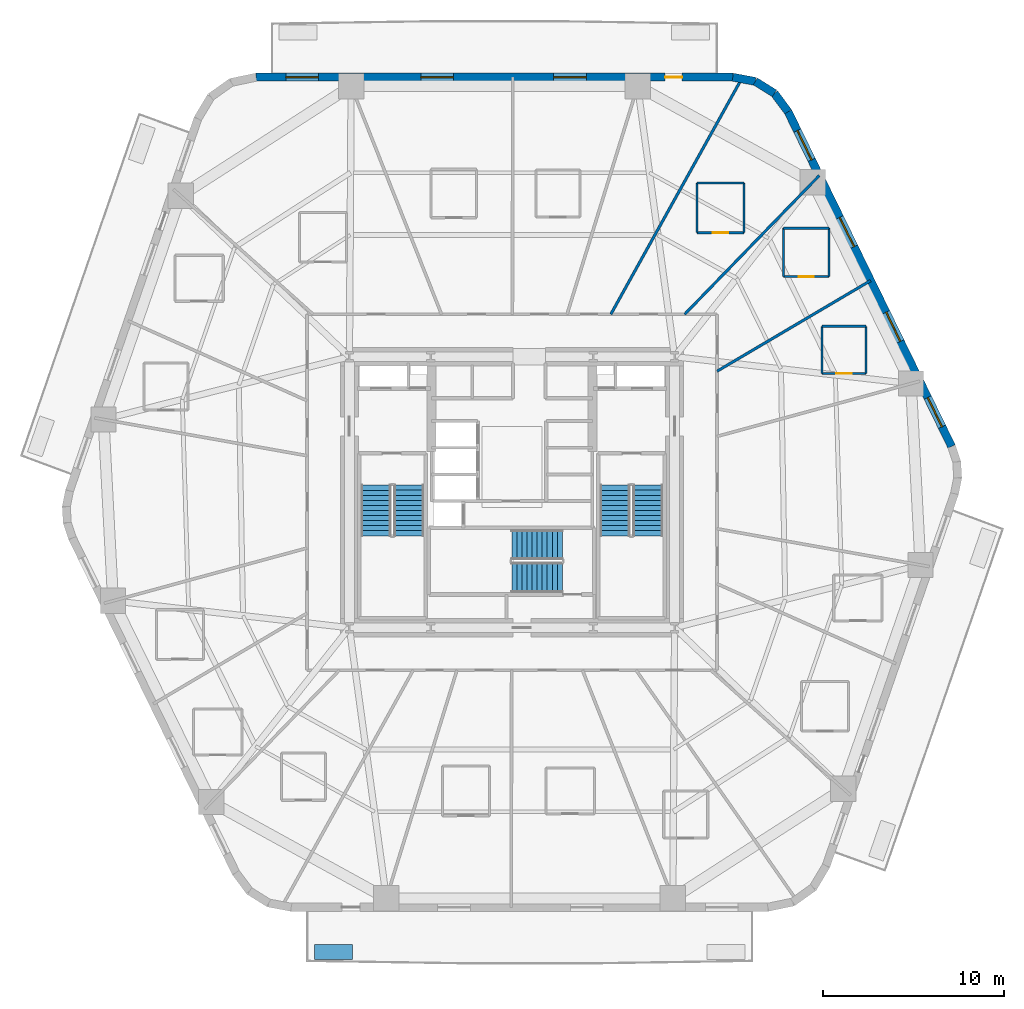
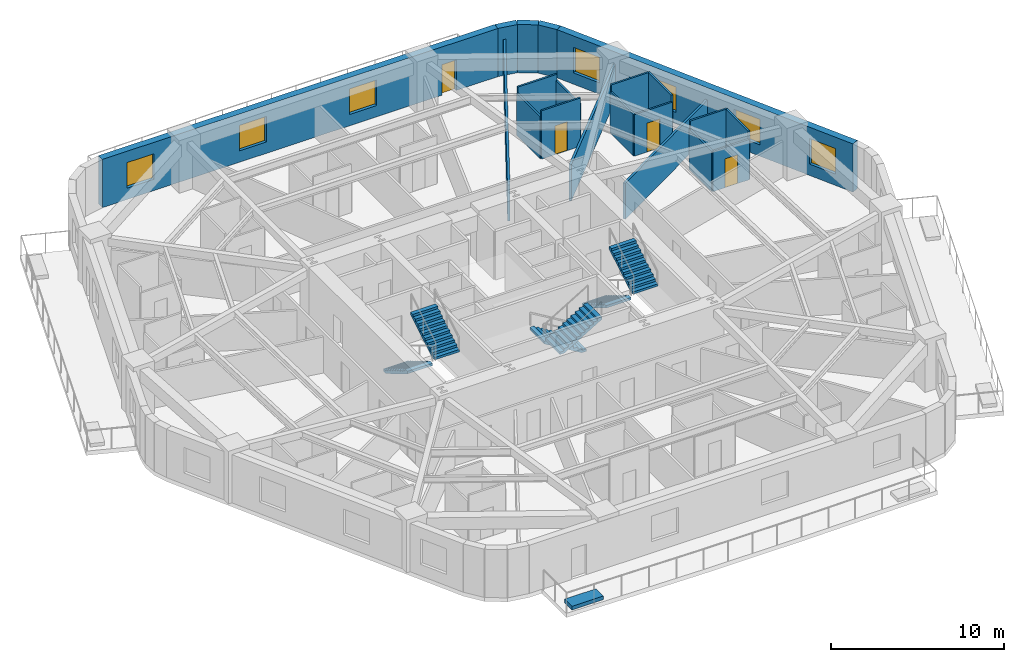
# One storey, part 7 of 11: 20 walls, 7 windows, 6 stair flights, 4 doors, 1 discrete accessory, 11 openings, 3 elements without a shape of their own.
"""IFC4 building model written with IfcOpenShell, lengths in metres."""

from ifc_helpers import new_model, si_unit, direction, frame, frame_2d, origin, origin_2d, place, context, subcontext, project, spatial, polyline, rectangle, outline, extrude, material, layer, layer_set, type_object, element, fill, aggregate, save


model = new_model("IFC4")

# Units and contexts
model_context = context("Model", 3, precision=1e-05, world=origin(), true_north=direction((0.0, 1.0)))
body_context = subcontext(model_context, "Body", "Model", "MODEL_VIEW")
ifc_project = project(units=[si_unit("LENGTHUNIT", "METRE"), si_unit("AREAUNIT", "SQUARE_METRE"), si_unit("VOLUMEUNIT", "CUBIC_METRE"), si_unit("PLANEANGLEUNIT", "RADIAN"), si_unit("MASSUNIT", "GRAM", prefix="KILO")], contexts=[model_context])

# Site, building, storey
site_placement = place(None, origin())
site = spatial("IfcSite", under=ifc_project, at=site_placement, CompositionType="ELEMENT")
building_placement = place(site_placement, origin())
building = spatial("IfcBuilding", under=site, at=building_placement, Name="Kilnhurst Terrace Hotel", CompositionType="ELEMENT")
storey_placement = place(building_placement, frame((0.0, 0.0, 37.89990234375)))
storey = spatial("IfcBuildingStorey", under=building, at=storey_placement, Name="L07", CompositionType="ELEMENT", Elevation=37.89990234375)

# Walls
ifc_material_1 = material(Name="Precast concrete C40/50", Category="concrete")
ifc_layer_1 = layer(ifc_material_1, 0.449951171875, Name="Precast concrete C40/50")
ifc_layer_set_1 = layer_set([ifc_layer_1], Name="Precast concrete C40/50")
wall_type_1 = type_object("IfcWallType", Name="WL-BRK-450", PredefinedType="SOLIDWALL", material=ifc_layer_set_1)
wall_1_placement = place(storey_placement, frame((15.28369140625, 21.0625, 0.0), z_axis=(0.0, 0.0, 1.0), x_axis=(-0.597595366449, 0.801797841104, 0.0)))
element("IfcWall", 1, at=wall_1_placement, inside=storey, type_object=wall_type_1, Name="L07 Rounded Corner Brick Wall C4.1", PredefinedType="SOLIDWALL", context=body_context, shape_type="SweptSolid", body=[
    extrude(rectangle(XDim=1.2685546875, YDim=0.449951171875, at=frame_2d((0.63427734375, 0.0))), origin(), (0.0, 0.0, 1.0), 3.400146484375),
])
wall_2_placement = place(storey_placement, frame((14.525634765625, 22.07958984375, 0.0), z_axis=(0.0, 0.0, 1.0), x_axis=(-0.848185203596, 0.529699783275, 0.0)))
element("IfcWall", 2, at=wall_2_placement, inside=storey, type_object=wall_type_1, Name="L07 Rounded Corner Brick Wall C4.2", PredefinedType="SOLIDWALL", context=body_context, shape_type="SweptSolid", body=[
    extrude(rectangle(XDim=1.247314453125, YDim=0.449951171875, at=frame_2d((0.62353515625, 0.0))), origin(), (0.0, 0.0, 1.0), 3.400146484375),
])
wall_3_placement = place(storey_placement, frame((13.4677734375, 22.740234375, 0.0), z_axis=(0.0, 0.0, 1.0), x_axis=(-0.982717174228, 0.185113358451, 0.0)))
element("IfcWall", 3, at=wall_3_placement, inside=storey, type_object=wall_type_1, Name="L07 Rounded Corner Brick Wall C4.3", PredefinedType="SOLIDWALL", context=body_context, shape_type="SweptSolid", body=[
    extrude(rectangle(XDim=1.268798828125, YDim=0.449951171875, at=frame_2d((0.63427734375, 0.0))), origin(), (0.0, 0.0, 1.0), 3.400146484375),
])

# Wall, openings, windows
wall_4_placement = place(storey_placement, frame((24.335693359375, 2.532470703125, 0.0), z_axis=(0.0, 0.0, 1.0), x_axis=(-0.438931326393, 0.898520612291, 0.0)))
wall_4 = element("IfcWall", 4, at=wall_4_placement, inside=storey, type_object=wall_type_1, Name="L07 Exterior Brick Facade Wall F3", PredefinedType="SOLIDWALL", context=body_context, shape_type="SweptSolid", body=[
    extrude(rectangle(XDim=20.622802734375, YDim=0.449951171875, at=frame_2d((10.3115234375, 0.0))), origin(), (0.0, 0.0, 1.0), 3.400146484375),
])
opening_1_placement = place(wall_4_placement, frame((6.469970703125, 0.0, 0.800048828125)))
opening_1 = element("IfcOpeningElement", 5, at=opening_1_placement, cuts=wall_4, Name="Opening W-01", PredefinedType="OPENING", context=body_context, shape_type="SweptSolid", body=[
    extrude(rectangle(XDim=1.800048828125, YDim=1.800048828125, at=frame_2d((0.89990234375, 0.89990234375))), frame((0.0, 0.23486328125, 0.0), z_axis=(0.0, -1.0, 0.0), x_axis=(1.0, 0.0, 0.0)), (0.0, 0.0, 1.0), 0.469970703125),
])
opening_2_placement = place(wall_4_placement, frame((12.31103515625, 0.0, 0.800048828125)))
opening_2 = element("IfcOpeningElement", 6, at=opening_2_placement, cuts=wall_4, Name="Opening W-01", PredefinedType="OPENING", context=body_context, shape_type="SweptSolid", body=[
    extrude(rectangle(XDim=1.800048828125, YDim=1.800048828125, at=frame_2d((0.89990234375, 0.89990234375))), frame((0.0, 0.23486328125, 0.0), z_axis=(0.0, -1.0, 0.0), x_axis=(1.0, 0.0, 0.0)), (0.0, 0.0, 1.0), 0.469970703125),
])
opening_3_placement = place(wall_4_placement, frame((17.659912109375, 0.0, 0.800048828125)))
opening_3 = element("IfcOpeningElement", 7, at=opening_3_placement, cuts=wall_4, Name="Opening W-01", PredefinedType="OPENING", context=body_context, shape_type="SweptSolid", body=[
    extrude(rectangle(XDim=1.800048828125, YDim=1.800048828125, at=frame_2d((0.89990234375, 0.89990234375))), frame((0.0, 0.23486328125, 0.0), z_axis=(0.0, -1.0, 0.0), x_axis=(1.0, 0.0, 0.0)), (0.0, 0.0, 1.0), 0.469970703125),
])
opening_4_placement = place(wall_4_placement, frame((1.214111328125, 0.0, 0.800048828125)))
opening_4 = element("IfcOpeningElement", 8, at=opening_4_placement, cuts=wall_4, Name="Opening W-01", PredefinedType="OPENING", context=body_context, shape_type="SweptSolid", body=[
    extrude(rectangle(XDim=1.800048828125, YDim=1.800048828125, at=frame_2d((0.89990234375, 0.89990234375))), frame((0.0, 0.23486328125, 0.0), z_axis=(0.0, -1.0, 0.0), x_axis=(1.0, 0.0, 0.0)), (0.0, 0.0, 1.0), 0.469970703125),
])
ifc_material_2 = material(Name="Thermally Broken Bronze Aluminium Alloy 6063-T6 and Low-E Glass", Category="aluminium")
window_type = type_object("IfcWindowType", Name="WIN-1800X1800", PartitioningType="SINGLE_PANEL", PredefinedType="WINDOW", material=ifc_material_2)
window_1_placement = place(opening_1_placement, origin())
window_1 = element("IfcWindow", 9, at=window_1_placement, inside=storey, type_object=window_type, Name="L07 Deep-Set Masonry Window F3.1", OverallHeight=1.800048828125, OverallWidth=1.800048828125, PartitioningType="SINGLE_PANEL", PredefinedType="WINDOW", context=body_context, shape_type="SweptSolid", body=[
    extrude(rectangle(XDim=1.800048828125, YDim=1.800048828125, at=frame_2d((0.89990234375, 0.89990234375))), frame((0.0, 0.030029296875, 0.0), z_axis=(0.0, -1.0, 0.0), x_axis=(1.0, 0.0, 0.0)), (0.0, 0.0, 1.0), 0.06005859375),
])
fill(opening_1, window_1)
window_2_placement = place(opening_2_placement, origin())
window_2 = element("IfcWindow", 10, at=window_2_placement, inside=storey, type_object=window_type, Name="L07 Deep-Set Masonry Window F3.2", OverallHeight=1.800048828125, OverallWidth=1.800048828125, PartitioningType="SINGLE_PANEL", PredefinedType="WINDOW", context=body_context, shape_type="SweptSolid", body=[
    extrude(rectangle(XDim=1.800048828125, YDim=1.800048828125, at=frame_2d((0.89990234375, 0.89990234375))), frame((0.0, 0.030029296875, 0.0), z_axis=(0.0, -1.0, 0.0), x_axis=(1.0, 0.0, 0.0)), (0.0, 0.0, 1.0), 0.06005859375),
])
fill(opening_2, window_2)
window_3_placement = place(opening_3_placement, origin())
window_3 = element("IfcWindow", 11, at=window_3_placement, inside=storey, type_object=window_type, Name="L07 Deep-Set Masonry Window F3.3", OverallHeight=1.800048828125, OverallWidth=1.800048828125, PartitioningType="SINGLE_PANEL", PredefinedType="WINDOW", context=body_context, shape_type="SweptSolid", body=[
    extrude(rectangle(XDim=1.800048828125, YDim=1.800048828125, at=frame_2d((0.89990234375, 0.89990234375))), frame((0.0, 0.030029296875, 0.0), z_axis=(0.0, -1.0, 0.0), x_axis=(1.0, 0.0, 0.0)), (0.0, 0.0, 1.0), 0.06005859375),
])
fill(opening_3, window_3)
window_4_placement = place(opening_4_placement, origin())
window_4 = element("IfcWindow", 12, at=window_4_placement, inside=storey, type_object=window_type, Name="L07 Deep-Set Masonry Window F3.4", OverallHeight=1.800048828125, OverallWidth=1.800048828125, PartitioningType="SINGLE_PANEL", PredefinedType="WINDOW", context=body_context, shape_type="SweptSolid", body=[
    extrude(rectangle(XDim=1.800048828125, YDim=1.800048828125, at=frame_2d((0.89990234375, 0.89990234375))), frame((0.0, 0.030029296875, 0.0), z_axis=(0.0, -1.0, 0.0), x_axis=(1.0, 0.0, 0.0)), (0.0, 0.0, 1.0), 0.06005859375),
])
fill(opening_4, window_4)

# Wall, openings, door, windows
wall_5_placement = place(storey_placement, frame((12.220947265625, 22.97509765625, 0.0), z_axis=(0.0, 0.0, 1.0), x_axis=(-1.0, 0.0, 0.0)))
wall_5 = element("IfcWall", 13, at=wall_5_placement, inside=storey, type_object=wall_type_1, Name="L07 Exterior Brick Facade Wall F4", PredefinedType="SOLIDWALL", context=body_context, shape_type="SweptSolid", body=[
    extrude(rectangle(XDim=26.38916015625, YDim=0.449951171875, at=frame_2d((13.194580078125, 0.0))), origin(), (0.0, 0.0, 1.0), 3.400146484375),
])
opening_5_placement = place(wall_5_placement, frame((2.799072265625, 0.0, 0.0)))
opening_5 = element("IfcOpeningElement", 14, at=opening_5_placement, cuts=wall_5, Name="Opening BD-950", PredefinedType="OPENING", context=body_context, shape_type="SweptSolid", body=[
    extrude(rectangle(XDim=0.949951171875, YDim=2.14990234375, at=frame_2d((0.47509765625, 1.074951171875))), frame((0.0, 0.23486328125, 0.0), z_axis=(0.0, -1.0, 0.0), x_axis=(1.0, 0.0, 0.0)), (0.0, 0.0, 1.0), 0.469970703125),
])
opening_6_placement = place(wall_5_placement, frame((8.110107421875, 0.0, 0.800048828125)))
opening_6 = element("IfcOpeningElement", 15, at=opening_6_placement, cuts=wall_5, Name="Opening W-01", PredefinedType="OPENING", context=body_context, shape_type="SweptSolid", body=[
    extrude(rectangle(XDim=1.800048828125, YDim=1.800048828125, at=frame_2d((0.89990234375, 0.89990234375))), frame((0.0, 0.23486328125, 0.0), z_axis=(0.0, -1.0, 0.0), x_axis=(1.0, 0.0, 0.0)), (0.0, 0.0, 1.0), 0.469970703125),
])
opening_7_placement = place(wall_5_placement, frame((15.4599609375, 0.0, 0.800048828125)))
opening_7 = element("IfcOpeningElement", 16, at=opening_7_placement, cuts=wall_5, Name="Opening W-01", PredefinedType="OPENING", context=body_context, shape_type="SweptSolid", body=[
    extrude(rectangle(XDim=1.800048828125, YDim=1.800048828125, at=frame_2d((0.89990234375, 0.89990234375))), frame((0.0, 0.23486328125, 0.0), z_axis=(0.0, -1.0, 0.0), x_axis=(1.0, 0.0, 0.0)), (0.0, 0.0, 1.0), 0.469970703125),
])
opening_8_placement = place(wall_5_placement, frame((22.93798828125, 0.0, 0.800048828125)))
opening_8 = element("IfcOpeningElement", 17, at=opening_8_placement, cuts=wall_5, Name="Opening W-01", PredefinedType="OPENING", context=body_context, shape_type="SweptSolid", body=[
    extrude(rectangle(XDim=1.800048828125, YDim=1.800048828125, at=frame_2d((0.89990234375, 0.89990234375))), frame((0.0, 0.23486328125, 0.0), z_axis=(0.0, -1.0, 0.0), x_axis=(1.0, 0.0, 0.0)), (0.0, 0.0, 1.0), 0.469970703125),
])
ifc_material_3 = material(Name="Thermally Broken Bronze Aluminium Alloy 6063-T6 and Laminated Glass", Category="aluminium")
door_type_1 = type_object("IfcDoorType", Name="DR-EXT-BAL-950", OperationType="NOTDEFINED", PredefinedType="DOOR", material=ifc_material_3)
door_1_placement = place(opening_5_placement, origin())
door_1 = element("IfcDoor", 18, at=door_1_placement, inside=storey, type_object=door_type_1, Name="L07 Planted Balcony Door BAL-L2A", OperationType="SINGLE_SWING_RIGHT", OverallHeight=2.14990234375, OverallWidth=0.949951171875, PredefinedType="DOOR", context=body_context, shape_type="SweptSolid", body=[
    extrude(rectangle(XDim=0.949951171875, YDim=2.14990234375, at=frame_2d((0.47509765625, 1.074951171875))), frame((0.0, 0.02490234375, 0.0), z_axis=(0.0, -1.0, 0.0), x_axis=(1.0, 0.0, 0.0)), (0.0, 0.0, 1.0), 0.050048828125),
])
fill(opening_5, door_1)
window_5_placement = place(opening_6_placement, origin())
window_5 = element("IfcWindow", 19, at=window_5_placement, inside=storey, type_object=window_type, Name="L07 Deep-Set Masonry Window F4.1", OverallHeight=1.800048828125, OverallWidth=1.800048828125, PartitioningType="SINGLE_PANEL", PredefinedType="WINDOW", context=body_context, shape_type="SweptSolid", body=[
    extrude(rectangle(XDim=1.800048828125, YDim=1.800048828125, at=frame_2d((0.89990234375, 0.89990234375))), frame((0.0, 0.030029296875, 0.0), z_axis=(0.0, -1.0, 0.0), x_axis=(1.0, 0.0, 0.0)), (0.0, 0.0, 1.0), 0.06005859375),
])
fill(opening_6, window_5)
window_6_placement = place(opening_7_placement, origin())
window_6 = element("IfcWindow", 20, at=window_6_placement, inside=storey, type_object=window_type, Name="L07 Deep-Set Masonry Window F4.2", OverallHeight=1.800048828125, OverallWidth=1.800048828125, PartitioningType="SINGLE_PANEL", PredefinedType="WINDOW", context=body_context, shape_type="SweptSolid", body=[
    extrude(rectangle(XDim=1.800048828125, YDim=1.800048828125, at=frame_2d((0.89990234375, 0.89990234375))), frame((0.0, 0.030029296875, 0.0), z_axis=(0.0, -1.0, 0.0), x_axis=(1.0, 0.0, 0.0)), (0.0, 0.0, 1.0), 0.06005859375),
])
fill(opening_7, window_6)
window_7_placement = place(opening_8_placement, origin())
window_7 = element("IfcWindow", 21, at=window_7_placement, inside=storey, type_object=window_type, Name="L07 Deep-Set Masonry Window F4.3", OverallHeight=1.800048828125, OverallWidth=1.800048828125, PartitioningType="SINGLE_PANEL", PredefinedType="WINDOW", context=body_context, shape_type="SweptSolid", body=[
    extrude(rectangle(XDim=1.800048828125, YDim=1.800048828125, at=frame_2d((0.89990234375, 0.89990234375))), frame((0.0, 0.030029296875, 0.0), z_axis=(0.0, -1.0, 0.0), x_axis=(1.0, 0.0, 0.0)), (0.0, 0.0, 1.0), 0.06005859375),
])
fill(opening_8, window_7)

# Walls
ifc_material_4 = material(Name="STC-58 Acoustic Twin-Frame Guestroom Demising Partition")
ifc_layer_2 = layer(ifc_material_4, 0.14990234375, Name="STC-58 Acoustic Twin-Frame Guestroom Demising Partition")
ifc_layer_set_2 = layer_set([ifc_layer_2], Name="STC-58 Acoustic Twin-Frame Guestroom Demising Partition")
wall_type_2 = type_object("IfcWallType", Name="WL-DEM-150", PredefinedType="PARTITIONING", material=ifc_layer_set_2)
wall_6_placement = place(storey_placement, frame((11.35009765625, 6.698486328125, 0.0), z_axis=(0.0, 0.0, 1.0), x_axis=(0.861198232886, 0.508269223614, 0.0)))
element("IfcWall", 22, at=wall_6_placement, inside=storey, type_object=wall_type_2, Name="L07 Interior Wall WL-L07-DEM-MID01-02-1", PredefinedType="PARTITIONING", context=body_context, shape_type="SweptSolid", body=[
    extrude(rectangle(XDim=9.869873046875, YDim=0.14990234375, at=frame_2d((4.93505859375, 0.0))), origin(), (0.0, 0.0, 1.0), 2.5400390625),
])
wall_7_placement = place(storey_placement, frame((9.5576171875, 9.85009765625, 0.0), z_axis=(0.0, 0.0, 1.0), x_axis=(0.69638346089, 0.717669893056, 0.0)))
element("IfcWall", 23, at=wall_7_placement, inside=storey, type_object=wall_type_2, Name="L07 Interior Wall WL-L07-DEM-COL02-03-1", PredefinedType="PARTITIONING", context=body_context, shape_type="SweptSolid", body=[
    extrude(rectangle(XDim=10.700927734375, YDim=0.14990234375, at=frame_2d((5.3505859375, 0.0))), origin(), (0.0, 0.0, 1.0), 2.5400390625),
])
wall_8_placement = place(storey_placement, frame((5.470703125, 9.85009765625, 0.0), z_axis=(0.0, 0.0, 1.0), x_axis=(0.48553323157, 0.874218211341, 0.0)))
element("IfcWall", 24, at=wall_8_placement, inside=storey, type_object=wall_type_2, Name="L07 Interior Wall WL-L07-DEM-MID02-04-1", PredefinedType="PARTITIONING", context=body_context, shape_type="SweptSolid", body=[
    extrude(rectangle(XDim=14.739501953125, YDim=0.14990234375, at=frame_2d((7.36962890625, 0.0))), origin(), (0.0, 0.0, 1.0), 2.5400390625),
])

# Wall, opening, door
ifc_material_5 = material(Name="120 mm Moisture-Resistant Tile-Backed Bathroom Partition")
ifc_layer_3 = layer(ifc_material_5, 0.1201171875, Name="120 mm Moisture-Resistant Tile-Backed Bathroom Partition")
ifc_layer_set_3 = layer_set([ifc_layer_3], Name="120 mm Moisture-Resistant Tile-Backed Bathroom Partition")
wall_type_3 = type_object("IfcWallType", Name="WL-PART-120", PredefinedType="PARTITIONING", material=ifc_layer_set_3)
wall_9_placement = place(storey_placement, frame((17.157958984375, 6.574951171875, 0.0), z_axis=(0.0, 0.0, 1.0), x_axis=(1.0, 0.0, 0.0)))
wall_9 = element("IfcWall", 25, at=wall_9_placement, inside=storey, type_object=wall_type_3, Name="L07 Interior Wall WL-L07-BTH-01-1", PredefinedType="PARTITIONING", context=body_context, shape_type="SweptSolid", body=[
    extrude(rectangle(XDim=2.43994140625, YDim=0.1201171875, at=frame_2d((1.219970703125, 0.0))), origin(), (0.0, 0.0, 1.0), 2.840087890625),
])
opening_9_placement = place(wall_9_placement, frame((0.794921875, 0.0, 0.0)))
opening_9 = element("IfcOpeningElement", 26, at=opening_9_placement, cuts=wall_9, Name="Opening D-08A", PredefinedType="OPENING", context=body_context, shape_type="SweptSolid", body=[
    extrude(rectangle(XDim=0.85009765625, YDim=2.030029296875, at=frame_2d((0.425048828125, 1.01513671875))), frame((0.0, 0.070068359375, 0.0), z_axis=(0.0, -1.0, 0.0), x_axis=(1.0, 0.0, 0.0)), (0.0, 0.0, 1.0), 0.14013671875),
])
ifc_material_6 = material(Name="Moisture-Resistant Lacquered En-suite Bathroom Door")
door_type_2 = type_object("IfcDoorType", Name="DR-INT-850", OperationType="NOTDEFINED", PredefinedType="DOOR", material=ifc_material_6)
door_2_placement = place(opening_9_placement, origin())
door_2 = element("IfcDoor", 27, at=door_2_placement, inside=storey, type_object=door_type_2, Name="L07 En-suite Bathroom Door 1", OperationType="SINGLE_SWING_RIGHT", OverallHeight=2.030029296875, OverallWidth=0.85009765625, PredefinedType="DOOR", context=body_context, shape_type="SweptSolid", body=[
    extrude(rectangle(XDim=0.85009765625, YDim=2.030029296875, at=frame_2d((0.425048828125, 1.01513671875))), frame((0.0, 0.02490234375, 0.0), z_axis=(0.0, -1.0, 0.0), x_axis=(1.0, 0.0, 0.0)), (0.0, 0.0, 1.0), 0.050048828125),
])
fill(opening_9, door_2)

# Walls
wall_10_placement = place(storey_placement, frame((19.597900390625, 6.574951171875, 0.0), z_axis=(0.0, 0.0, 1.0), x_axis=(0.0, 1.0, 0.0)))
element("IfcWall", 28, at=wall_10_placement, inside=storey, type_object=wall_type_3, Name="L07 Interior Wall WL-L07-BTH-01-2", PredefinedType="PARTITIONING", context=body_context, shape_type="SweptSolid", body=[
    extrude(rectangle(XDim=2.610107421875, YDim=0.1201171875, at=frame_2d((1.30517578125, 0.0))), origin(), (0.0, 0.0, 1.0), 3.400146484375),
])
wall_11_placement = place(storey_placement, frame((19.597900390625, 9.18505859375, 0.0), z_axis=(0.0, 0.0, 1.0), x_axis=(-1.0, 0.0, 0.0)))
element("IfcWall", 29, at=wall_11_placement, inside=storey, type_object=wall_type_3, Name="L07 Interior Wall WL-L07-BTH-01-3", PredefinedType="PARTITIONING", context=body_context, shape_type="SweptSolid", body=[
    extrude(rectangle(XDim=2.43994140625, YDim=0.1201171875, at=frame_2d((1.219970703125, 0.0))), origin(), (0.0, 0.0, 1.0), 3.400146484375),
])
wall_12_placement = place(storey_placement, frame((17.157958984375, 9.18505859375, 0.0), z_axis=(0.0, 0.0, 1.0), x_axis=(0.0, -1.0, 0.0)))
element("IfcWall", 30, at=wall_12_placement, inside=storey, type_object=wall_type_3, Name="L07 Interior Wall WL-L07-BTH-01-4", PredefinedType="PARTITIONING", context=body_context, shape_type="SweptSolid", body=[
    extrude(rectangle(XDim=2.610107421875, YDim=0.1201171875, at=frame_2d((1.30517578125, 0.0))), origin(), (0.0, 0.0, 1.0), 2.840087890625),
])

# Wall, opening, door
wall_13_placement = place(storey_placement, frame((15.029052734375, 11.93603515625, 0.0), z_axis=(0.0, 0.0, 1.0), x_axis=(1.0, 0.0, 0.0)))
wall_13 = element("IfcWall", 31, at=wall_13_placement, inside=storey, type_object=wall_type_3, Name="L07 Interior Wall WL-L07-BTH-02-1", PredefinedType="PARTITIONING", context=body_context, shape_type="SweptSolid", body=[
    extrude(rectangle(XDim=2.52001953125, YDim=0.1201171875, at=frame_2d((1.260009765625, 0.0))), origin(), (0.0, 0.0, 1.0), 2.926513671875),
])
opening_10_placement = place(wall_13_placement, frame((0.8349609375, 0.0, 0.0)))
opening_10 = element("IfcOpeningElement", 32, at=opening_10_placement, cuts=wall_13, Name="Opening D-08A", PredefinedType="OPENING", context=body_context, shape_type="SweptSolid", body=[
    extrude(rectangle(XDim=0.85009765625, YDim=2.030029296875, at=frame_2d((0.425048828125, 1.01513671875))), frame((0.0, 0.070068359375, 0.0), z_axis=(0.0, -1.0, 0.0), x_axis=(1.0, 0.0, 0.0)), (0.0, 0.0, 1.0), 0.14013671875),
])
door_3_placement = place(opening_10_placement, origin())
door_3 = element("IfcDoor", 33, at=door_3_placement, inside=storey, type_object=door_type_2, Name="L07 En-suite Bathroom Door 2", OperationType="SINGLE_SWING_LEFT", OverallHeight=2.030029296875, OverallWidth=0.85009765625, PredefinedType="DOOR", context=body_context, shape_type="SweptSolid", body=[
    extrude(rectangle(XDim=0.85009765625, YDim=2.030029296875, at=frame_2d((0.425048828125, 1.01513671875))), frame((0.0, 0.02490234375, 0.0), z_axis=(0.0, -1.0, 0.0), x_axis=(1.0, 0.0, 0.0)), (0.0, 0.0, 1.0), 0.050048828125),
])
fill(opening_10, door_3)

# Walls
wall_14_placement = place(storey_placement, frame((17.549072265625, 11.93603515625, 0.0), z_axis=(0.0, 0.0, 1.0), x_axis=(0.0, 1.0, 0.0)))
element("IfcWall", 34, at=wall_14_placement, inside=storey, type_object=wall_type_3, Name="L07 Interior Wall WL-L07-BTH-02-2", PredefinedType="PARTITIONING", context=body_context, shape_type="SweptSolid", body=[
    extrude(rectangle(XDim=2.679931640625, YDim=0.1201171875, at=frame_2d((1.33984375, 0.0))), origin(), (0.0, 0.0, 1.0), 3.400146484375),
])
wall_15_placement = place(storey_placement, frame((17.549072265625, 14.615966796875, 0.0), z_axis=(0.0, 0.0, 1.0), x_axis=(-1.0, 0.0, 0.0)))
element("IfcWall", 35, at=wall_15_placement, inside=storey, type_object=wall_type_3, Name="L07 Interior Wall WL-L07-BTH-02-3", PredefinedType="PARTITIONING", context=body_context, shape_type="SweptSolid", body=[
    extrude(rectangle(XDim=2.52001953125, YDim=0.1201171875, at=frame_2d((1.260009765625, 0.0))), origin(), (0.0, 0.0, 1.0), 3.400146484375),
])
wall_16_placement = place(storey_placement, frame((15.029052734375, 14.615966796875, 0.0), z_axis=(0.0, 0.0, 1.0), x_axis=(0.0, -1.0, 0.0)))
element("IfcWall", 36, at=wall_16_placement, inside=storey, type_object=wall_type_3, Name="L07 Interior Wall WL-L07-BTH-02-4", PredefinedType="PARTITIONING", context=body_context, shape_type="SweptSolid", body=[
    extrude(rectangle(XDim=2.679931640625, YDim=0.1201171875, at=frame_2d((1.33984375, 0.0))), origin(), (0.0, 0.0, 1.0), 2.926513671875),
])

# Wall, opening, door
wall_17_placement = place(storey_placement, frame((10.235107421875, 14.365966796875, 0.0), z_axis=(0.0, 0.0, 1.0), x_axis=(1.0, 0.0, 0.0)))
wall_17 = element("IfcWall", 37, at=wall_17_placement, inside=storey, type_object=wall_type_3, Name="L07 Interior Wall WL-L07-BTH-03-1", PredefinedType="PARTITIONING", context=body_context, shape_type="SweptSolid", body=[
    extrude(rectangle(XDim=2.599853515625, YDim=0.1201171875, at=frame_2d((1.2998046875, 0.0))), origin(), (0.0, 0.0, 1.0), 3.400146484375),
])
opening_11_placement = place(wall_17_placement, frame((0.875, 0.0, 0.0)))
opening_11 = element("IfcOpeningElement", 38, at=opening_11_placement, cuts=wall_17, Name="Opening D-08A", PredefinedType="OPENING", context=body_context, shape_type="SweptSolid", body=[
    extrude(rectangle(XDim=0.85009765625, YDim=2.030029296875, at=frame_2d((0.425048828125, 1.01513671875))), frame((0.0, 0.070068359375, 0.0), z_axis=(0.0, -1.0, 0.0), x_axis=(1.0, 0.0, 0.0)), (0.0, 0.0, 1.0), 0.14013671875),
])
door_4_placement = place(opening_11_placement, origin())
door_4 = element("IfcDoor", 39, at=door_4_placement, inside=storey, type_object=door_type_2, Name="L07 En-suite Bathroom Door 3", OperationType="SINGLE_SWING_RIGHT", OverallHeight=2.030029296875, OverallWidth=0.85009765625, PredefinedType="DOOR", context=body_context, shape_type="SweptSolid", body=[
    extrude(rectangle(XDim=0.85009765625, YDim=2.030029296875, at=frame_2d((0.425048828125, 1.01513671875))), frame((0.0, 0.02490234375, 0.0), z_axis=(0.0, -1.0, 0.0), x_axis=(1.0, 0.0, 0.0)), (0.0, 0.0, 1.0), 0.050048828125),
])
fill(opening_11, door_4)

# Walls
wall_18_placement = place(storey_placement, frame((12.8349609375, 14.365966796875, 0.0), z_axis=(0.0, 0.0, 1.0), x_axis=(0.0, 1.0, 0.0)))
element("IfcWall", 40, at=wall_18_placement, inside=storey, type_object=wall_type_3, Name="L07 Interior Wall WL-L07-BTH-03-2", PredefinedType="PARTITIONING", context=body_context, shape_type="SweptSolid", body=[
    extrude(rectangle(XDim=2.75, YDim=0.1201171875, at=frame_2d((1.375, 0.0))), origin(), (0.0, 0.0, 1.0), 2.972412109375),
])
wall_19_placement = place(storey_placement, frame((12.8349609375, 17.115966796875, 0.0), z_axis=(0.0, 0.0, 1.0), x_axis=(-1.0, 0.0, 0.0)))
element("IfcWall", 41, at=wall_19_placement, inside=storey, type_object=wall_type_3, Name="L07 Interior Wall WL-L07-BTH-03-3", PredefinedType="PARTITIONING", context=body_context, shape_type="SweptSolid", body=[
    extrude(rectangle(XDim=2.599853515625, YDim=0.1201171875, at=frame_2d((1.2998046875, 0.0))), origin(), (0.0, 0.0, 1.0), 3.400146484375),
])
wall_20_placement = place(storey_placement, frame((10.235107421875, 17.115966796875, 0.0), z_axis=(0.0, 0.0, 1.0), x_axis=(0.0, -1.0, 0.0)))
element("IfcWall", 42, at=wall_20_placement, inside=storey, type_object=wall_type_3, Name="L07 Interior Wall WL-L07-BTH-03-4", PredefinedType="PARTITIONING", context=body_context, shape_type="SweptSolid", body=[
    extrude(rectangle(XDim=2.75, YDim=0.1201171875, at=frame_2d((1.375, 0.0))), origin(), (0.0, 0.0, 1.0), 2.972412109375),
])

# Stair, stair flights
ifc_material_7 = material(Name="Concrete C50/60", Category="concrete")
stair_type = type_object("IfcStairType", Name="STR-CORE-1660", PredefinedType="HALF_TURN_STAIR", material=ifc_material_7)
stair_1_placement = place(storey_placement, origin())
stair_1 = element("IfcStair", 43, at=stair_1_placement, inside=storey, type_object=stair_type, Name="L07 ST-1", PredefinedType="HALF_TURN_STAIR")
stair_flight_type = type_object("IfcStairFlightType", Name="FLT-RC-1660", PredefinedType="STRAIGHT", material=ifc_material_7)
stair_flight_1_placement = place(storey_placement, frame((-7.52001953125, 0.389892578125, 0.0), z_axis=(0.0, 0.0, 1.0), x_axis=(0.0, -1.0, 0.0)))
stair_flight_1 = element("IfcStairFlight", 44, at=stair_flight_1_placement, type_object=stair_flight_type, Name="ST-1 flight 1", NumberOfRisers=11, NumberOfTreads=10, PredefinedType="STRAIGHT", RiserHeight=0.168181818, TreadLength=0.28, context=body_context, shape_type="SweptSolid", body=[
    extrude(outline(polyline([(0.0, 0.0), (0.0, 0.168212890625), (0.280029296875, 0.168212890625), (0.280029296875, 0.33642578125), (0.56005859375, 0.33642578125), (0.56005859375, 0.504638671875), (0.840087890625, 0.504638671875), (0.840087890625, 0.672607421875), (1.1201171875, 0.672607421875), (1.1201171875, 0.8408203125), (1.39990234375, 0.8408203125), (1.39990234375, 1.009033203125), (1.679931640625, 1.009033203125), (1.679931640625, 1.17724609375), (1.9599609375, 1.17724609375), (1.9599609375, 1.345458984375), (2.239990234375, 1.345458984375), (2.239990234375, 1.513671875), (2.52001953125, 1.513671875), (2.52001953125, 1.681884765625), (2.800048828125, 1.681884765625), (2.800048828125, 1.85009765625), (2.800048828125, 1.5068359375), (0.291015625, 0.0), (0.0, 0.0)])), frame((0.0, 0.830078125, 0.0), z_axis=(0.0, -1.0, 0.0), x_axis=(1.0, 0.0, 0.0)), (0.0, 0.0, 1.0), 1.659912109375),
])
stair_flight_2_placement = place(storey_placement, frame((-5.7099609375, -2.409912109375, 1.85009765625), z_axis=(0.0, 0.0, 1.0), x_axis=(0.0, 1.0, 0.0)))
stair_flight_2 = element("IfcStairFlight", 45, at=stair_flight_2_placement, type_object=stair_flight_type, Name="ST-1 flight 2", NumberOfRisers=11, NumberOfTreads=10, PredefinedType="STRAIGHT", RiserHeight=0.168181818, TreadLength=0.28, context=body_context, shape_type="SweptSolid", body=[
    extrude(outline(polyline([(0.0, 0.0), (0.0, 0.168212890625), (0.280029296875, 0.168212890625), (0.280029296875, 0.33642578125), (0.56005859375, 0.33642578125), (0.56005859375, 0.504638671875), (0.840087890625, 0.504638671875), (0.840087890625, 0.672607421875), (1.1201171875, 0.672607421875), (1.1201171875, 0.8408203125), (1.39990234375, 0.8408203125), (1.39990234375, 1.009033203125), (1.679931640625, 1.009033203125), (1.679931640625, 1.17724609375), (1.9599609375, 1.17724609375), (1.9599609375, 1.345458984375), (2.239990234375, 1.345458984375), (2.239990234375, 1.513671875), (2.52001953125, 1.513671875), (2.52001953125, 1.681884765625), (2.800048828125, 1.681884765625), (2.800048828125, 1.85009765625), (2.800048828125, 1.5068359375), (0.291015625, 0.0), (0.0, 0.0)])), frame((0.0, 0.830078125, 0.0), z_axis=(0.0, -1.0, 0.0), x_axis=(1.0, 0.0, 0.0)), (0.0, 0.0, 1.0), 1.659912109375),
])
aggregate(stair_1, [stair_flight_1, stair_flight_2])

stair_2_placement = place(storey_placement, origin())
stair_2 = element("IfcStair", 46, at=stair_2_placement, inside=storey, type_object=stair_type, Name="L07 ST-2", PredefinedType="HALF_TURN_STAIR")
stair_flight_3_placement = place(storey_placement, frame((5.7099609375, 0.389892578125, 0.0), z_axis=(0.0, 0.0, 1.0), x_axis=(0.0, -1.0, 0.0)))
stair_flight_3 = element("IfcStairFlight", 47, at=stair_flight_3_placement, type_object=stair_flight_type, Name="ST-2 flight 1", NumberOfRisers=11, NumberOfTreads=10, PredefinedType="STRAIGHT", RiserHeight=0.168181818, TreadLength=0.28, context=body_context, shape_type="SweptSolid", body=[
    extrude(outline(polyline([(0.0, 0.0), (0.0, 0.168212890625), (0.280029296875, 0.168212890625), (0.280029296875, 0.33642578125), (0.56005859375, 0.33642578125), (0.56005859375, 0.504638671875), (0.840087890625, 0.504638671875), (0.840087890625, 0.672607421875), (1.1201171875, 0.672607421875), (1.1201171875, 0.8408203125), (1.39990234375, 0.8408203125), (1.39990234375, 1.009033203125), (1.679931640625, 1.009033203125), (1.679931640625, 1.17724609375), (1.9599609375, 1.17724609375), (1.9599609375, 1.345458984375), (2.239990234375, 1.345458984375), (2.239990234375, 1.513671875), (2.52001953125, 1.513671875), (2.52001953125, 1.681884765625), (2.800048828125, 1.681884765625), (2.800048828125, 1.85009765625), (2.800048828125, 1.5068359375), (0.291015625, 0.0), (0.0, 0.0)])), frame((0.0, 0.830078125, 0.0), z_axis=(0.0, -1.0, 0.0), x_axis=(1.0, 0.0, 0.0)), (0.0, 0.0, 1.0), 1.659912109375),
])
stair_flight_4_placement = place(storey_placement, frame((7.52001953125, -2.409912109375, 1.85009765625), z_axis=(0.0, 0.0, 1.0), x_axis=(0.0, 1.0, 0.0)))
stair_flight_4 = element("IfcStairFlight", 48, at=stair_flight_4_placement, type_object=stair_flight_type, Name="ST-2 flight 2", NumberOfRisers=11, NumberOfTreads=10, PredefinedType="STRAIGHT", RiserHeight=0.168181818, TreadLength=0.28, context=body_context, shape_type="SweptSolid", body=[
    extrude(outline(polyline([(0.0, 0.0), (0.0, 0.168212890625), (0.280029296875, 0.168212890625), (0.280029296875, 0.33642578125), (0.56005859375, 0.33642578125), (0.56005859375, 0.504638671875), (0.840087890625, 0.504638671875), (0.840087890625, 0.672607421875), (1.1201171875, 0.672607421875), (1.1201171875, 0.8408203125), (1.39990234375, 0.8408203125), (1.39990234375, 1.009033203125), (1.679931640625, 1.009033203125), (1.679931640625, 1.17724609375), (1.9599609375, 1.17724609375), (1.9599609375, 1.345458984375), (2.239990234375, 1.345458984375), (2.239990234375, 1.513671875), (2.52001953125, 1.513671875), (2.52001953125, 1.681884765625), (2.800048828125, 1.681884765625), (2.800048828125, 1.85009765625), (2.800048828125, 1.5068359375), (0.291015625, 0.0), (0.0, 0.0)])), frame((0.0, 0.830078125, 0.0), z_axis=(0.0, -1.0, 0.0), x_axis=(1.0, 0.0, 0.0)), (0.0, 0.0, 1.0), 1.659912109375),
])
aggregate(stair_2, [stair_flight_3, stair_flight_4])

stair_3_placement = place(storey_placement, origin())
stair_3 = element("IfcStair", 49, at=stair_3_placement, inside=storey, type_object=stair_type, Name="L07 ST-3", PredefinedType="HALF_TURN_STAIR")
stair_flight_5_placement = place(storey_placement, frame((2.7900390625, -2.909912109375, 0.0), z_axis=(0.0, 0.0, 1.0), x_axis=(-1.0, 0.0, 0.0)))
stair_flight_5 = element("IfcStairFlight", 50, at=stair_flight_5_placement, type_object=stair_flight_type, Name="ST-3 flight 1", NumberOfRisers=11, NumberOfTreads=10, PredefinedType="STRAIGHT", RiserHeight=0.168181818, TreadLength=0.28, context=body_context, shape_type="SweptSolid", body=[
    extrude(outline(polyline([(0.0, 0.0), (0.0, 0.168212890625), (0.280029296875, 0.168212890625), (0.280029296875, 0.33642578125), (0.56005859375, 0.33642578125), (0.56005859375, 0.504638671875), (0.840087890625, 0.504638671875), (0.840087890625, 0.672607421875), (1.1201171875, 0.672607421875), (1.1201171875, 0.8408203125), (1.39990234375, 0.8408203125), (1.39990234375, 1.009033203125), (1.679931640625, 1.009033203125), (1.679931640625, 1.17724609375), (1.9599609375, 1.17724609375), (1.9599609375, 1.345458984375), (2.239990234375, 1.345458984375), (2.239990234375, 1.513671875), (2.52001953125, 1.513671875), (2.52001953125, 1.681884765625), (2.800048828125, 1.681884765625), (2.800048828125, 1.85009765625), (2.800048828125, 1.5068359375), (0.291015625, 0.0), (0.0, 0.0)])), frame((0.0, 0.830078125, 0.0), z_axis=(0.0, -1.0, 0.0), x_axis=(1.0, 0.0, 0.0)), (0.0, 0.0, 1.0), 1.659912109375),
])
stair_flight_6_placement = place(storey_placement, frame((-0.010009765625, -4.719970703125, 1.85009765625), z_axis=(0.0, 0.0, 1.0), x_axis=(1.0, 0.0, 0.0)))
stair_flight_6 = element("IfcStairFlight", 51, at=stair_flight_6_placement, type_object=stair_flight_type, Name="ST-3 flight 2", NumberOfRisers=11, NumberOfTreads=10, PredefinedType="STRAIGHT", RiserHeight=0.168181818, TreadLength=0.28, context=body_context, shape_type="SweptSolid", body=[
    extrude(outline(polyline([(0.0, 0.0), (0.0, 0.168212890625), (0.280029296875, 0.168212890625), (0.280029296875, 0.33642578125), (0.56005859375, 0.33642578125), (0.56005859375, 0.504638671875), (0.840087890625, 0.504638671875), (0.840087890625, 0.672607421875), (1.1201171875, 0.672607421875), (1.1201171875, 0.8408203125), (1.39990234375, 0.8408203125), (1.39990234375, 1.009033203125), (1.679931640625, 1.009033203125), (1.679931640625, 1.17724609375), (1.9599609375, 1.17724609375), (1.9599609375, 1.345458984375), (2.239990234375, 1.345458984375), (2.239990234375, 1.513671875), (2.52001953125, 1.513671875), (2.52001953125, 1.681884765625), (2.800048828125, 1.681884765625), (2.800048828125, 1.85009765625), (2.800048828125, 1.5068359375), (0.291015625, 0.0), (0.0, 0.0)])), frame((0.0, 0.830078125, 0.0), z_axis=(0.0, -1.0, 0.0), x_axis=(1.0, 0.0, 0.0)), (0.0, 0.0, 1.0), 1.659912109375),
])
aggregate(stair_3, [stair_flight_5, stair_flight_6])

# Discrete accessory
ifc_material_8 = material(Name="Precast Concrete C40/50 Tree Planter", Category="concrete")
discrete_accessory_type = type_object("IfcDiscreteAccessoryType", Name="PLN-TREE-260", PredefinedType="USERDEFINED", material=ifc_material_8)
discrete_accessory_placement = place(storey_placement, frame((-9.89208984375, -25.449951171875, 0.0), z_axis=(0.0, 0.0, 1.0), x_axis=(1.0, 0.0, 0.0)))
element("IfcDiscreteAccessory", 52, at=discrete_accessory_placement, inside=storey, type_object=discrete_accessory_type, Name="L07 Structural Tree Planter Box PLANTER BAL-L1A.1", ObjectType="PLANTER", PredefinedType="USERDEFINED", context=body_context, shape_type="SweptSolid", body=[
    extrude(rectangle(XDim=2.10009765625, YDim=0.85009765625, at=origin_2d()), origin(), (0.0, 0.0, 1.0), 0.260009765625),
])

save(model, "model.ifc")
